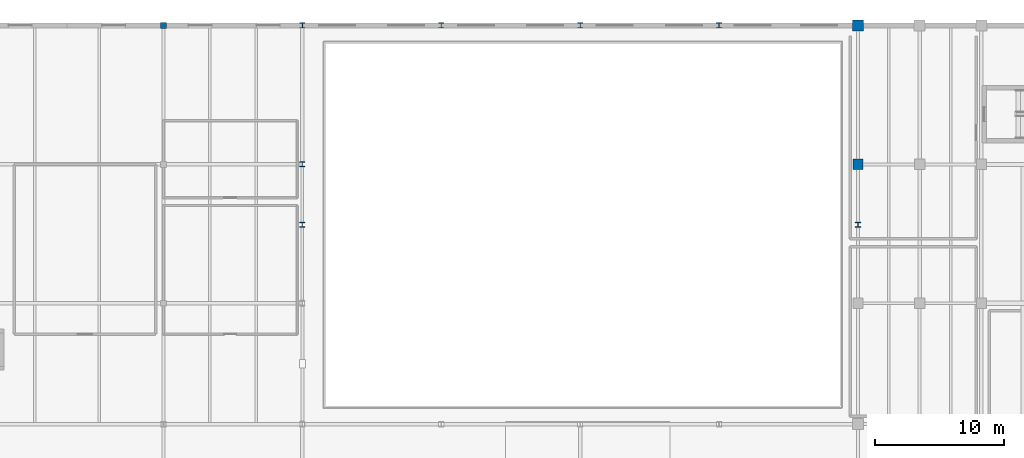
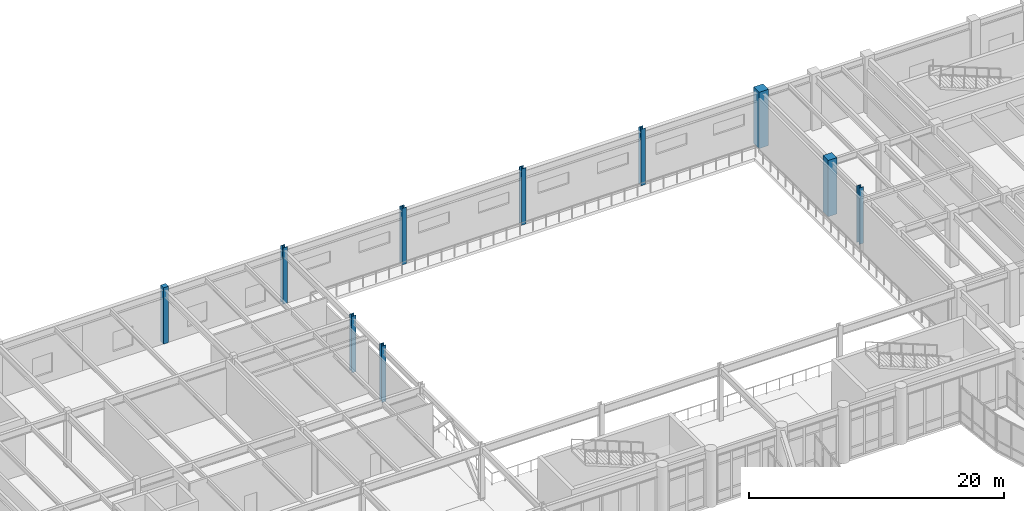
# One storey, part 8 of 72: 10 columns.
"""IFC4 building model written with IfcOpenShell, lengths in metres."""

from ifc_helpers import new_model, si_unit, direction, frame, origin, origin_2d, place, context, subcontext, project, spatial, rectangle, i_section, extrude, material, material_profile, profile_set, type_object, element, save


model = new_model("IFC4")

# Units and contexts
model_context = context("Model", 3, precision=1e-05, world=origin(), true_north=direction((0.0, 1.0)))
body_context = subcontext(model_context, "Body", "Model", "MODEL_VIEW")
ifc_project = project(units=[si_unit("LENGTHUNIT", "METRE"), si_unit("AREAUNIT", "SQUARE_METRE"), si_unit("VOLUMEUNIT", "CUBIC_METRE"), si_unit("PLANEANGLEUNIT", "RADIAN"), si_unit("MASSUNIT", "GRAM", prefix="KILO")], contexts=[model_context])

# Site, building, storey
site_placement = place(None, origin())
site = spatial("IfcSite", under=ifc_project, at=site_placement, CompositionType="ELEMENT")
building_placement = place(site_placement, origin())
building = spatial("IfcBuilding", under=site, at=building_placement, Name="Veldera Park Congress Hotel", CompositionType="ELEMENT")
storey_placement = place(building_placement, frame((0.0, 0.0, 5.39990234375)))
storey = spatial("IfcBuildingStorey", under=building, at=storey_placement, Name="L01", CompositionType="ELEMENT", Elevation=5.39990234375)

# Columns
ifc_material_1 = material(Name="Glulam GL28h (NDS 24F-V4)", Category="wood")
ifc_material_profile_1 = material_profile(ifc_material_1, rectangle(XDim=0.449951171875, YDim=0.449951171875, at=origin_2d()), Name="GL28h 450x450")
ifc_profile_set_1 = profile_set([ifc_material_profile_1], Name="Glulam GL28h (NDS 24F-V4)")
column_type_1 = type_object("IfcColumnType", Name="COL-GL45E", PredefinedType="COLUMN", material=ifc_profile_set_1)
column_1_placement = place(storey_placement, frame((-12.39990234375, 58.0, 0.0), z_axis=(0.0, 0.0, 1.0), x_axis=(1.0, 0.0, 0.0)))
element("IfcColumn", 1, at=column_1_placement, inside=storey, type_object=column_type_1, Name="L01 Column COL-GL45E (-12.4,58.0)", PredefinedType="COLUMN", context=body_context, shape_type="SweptSolid", body=[
    extrude(rectangle(XDim=0.449951171875, YDim=0.449951171875, at=origin_2d()), origin(), (0.0, 0.0, 1.0), 5.400146484375),
])
ifc_material_2 = material(Name="Concrete f'c 50 MPa (7,250 psi)", Category="concrete")
ifc_material_profile_2 = material_profile(ifc_material_2, rectangle(XDim=0.800048828125, YDim=0.800048828125, at=origin_2d()), Name="RC 800x800")
ifc_profile_set_2 = profile_set([ifc_material_profile_2], Name="Concrete f'c 50 MPa (7,250 psi)")
column_type_2 = type_object("IfcColumnType", Name="COL-RC80", PredefinedType="COLUMN", material=ifc_profile_set_2)
column_2_placement = place(storey_placement, frame((41.60009765625, 47.199951171875, 0.0), z_axis=(0.0, 0.0, 1.0), x_axis=(1.0, 0.0, 0.0)))
element("IfcColumn", 2, at=column_2_placement, inside=storey, type_object=column_type_2, Name="L01 Column COL-RC80 (41.6,47.2)", PredefinedType="COLUMN", context=body_context, shape_type="SweptSolid", body=[
    extrude(rectangle(XDim=0.800048828125, YDim=0.800048828125, at=origin_2d()), origin(), (0.0, 0.0, 1.0), 5.400146484375),
])
ifc_material_profile_3 = material_profile(ifc_material_2, rectangle(XDim=0.85009765625, YDim=0.85009765625, at=origin_2d()), Name="RC 850x850")
ifc_profile_set_3 = profile_set([ifc_material_profile_3], Name="Concrete f'c 50 MPa (7,250 psi)")
column_type_3 = type_object("IfcColumnType", Name="COL-RC80E", PredefinedType="COLUMN", material=ifc_profile_set_3)
column_3_placement = place(storey_placement, frame((41.60009765625, 58.0, 0.0), z_axis=(0.0, 0.0, 1.0), x_axis=(1.0, 0.0, 0.0)))
element("IfcColumn", 3, at=column_3_placement, inside=storey, type_object=column_type_3, Name="L01 Column COL-RC80E (41.6,58.0)", PredefinedType="COLUMN", context=body_context, shape_type="SweptSolid", body=[
    extrude(rectangle(XDim=0.85009765625, YDim=0.85009765625, at=origin_2d()), origin(), (0.0, 0.0, 1.0), 5.400146484375),
])
ifc_material_3 = material(Name="Steel ASTM A992 Gr.50", Category="steel")
ifc_material_profile_4 = material_profile(ifc_material_3, i_section(OverallWidth=0.39599609375, OverallDepth=0.381103515625, WebThickness=0.018798828125, FlangeThickness=0.0302734375, at=origin_2d()), Name="W14X159")
ifc_profile_set_4 = profile_set([ifc_material_profile_4], Name="Steel ASTM A992 Gr.50")
column_type_4 = type_object("IfcColumnType", Name="COL-STL159", PredefinedType="COLUMN", material=ifc_profile_set_4)
for number, where, z_axis, x_axis, name in (
    (4, (-1.60009765625, 42.5, 0.0), (0.0, 0.0, 1.0), (1.0, 0.0, 0.0), "L01 Column COL-STL159 (-1.6,42.5)"),
    (5, (41.60009765625, 42.5, 0.0), (0.0, 0.0, 1.0), (1.0, 0.0, 0.0), "L01 Column COL-STL159 (41.6,42.5)"),
    (6, (-1.60009765625, 47.199951171875, 0.0), (0.0, 0.0, 1.0), (1.0, 0.0, 0.0), "L01 Column COL-STL159 (-1.6,47.2)"),
):
    element("IfcColumn", number, at=place(storey_placement, frame(where, z_axis=z_axis, x_axis=x_axis)), inside=storey, type_object=column_type_4, Name=name, PredefinedType="COLUMN", context=body_context, shape_type="SweptSolid", body=[
        extrude(i_section(OverallWidth=0.39599609375, OverallDepth=0.381103515625, WebThickness=0.018798828125, FlangeThickness=0.0302734375, at=origin_2d()), origin(), (0.0, 0.0, 1.0), 5.400146484375),
    ])
ifc_material_profile_5 = material_profile(ifc_material_3, i_section(OverallWidth=0.39892578125, OverallDepth=0.39306640625, WebThickness=0.022705078125, FlangeThickness=0.03662109375, at=origin_2d()), Name="W14X193")
ifc_profile_set_5 = profile_set([ifc_material_profile_5], Name="Steel ASTM A992 Gr.50")
column_type_5 = type_object("IfcColumnType", Name="COL-STL176E", PredefinedType="COLUMN", material=ifc_profile_set_5)
for number, where, z_axis, x_axis, name in (
    (7, (-1.60009765625, 58.0, 0.0), (0.0, 0.0, 1.0), (1.0, 0.0, 0.0), "L01 Column COL-STL176E (-1.6,58.0)"),
    (8, (9.199951171875, 58.0, 0.0), (0.0, 0.0, 1.0), (1.0, 0.0, 0.0), "L01 Column COL-STL176E (9.2,58.0)"),
    (9, (20.0, 58.0, 0.0), (0.0, 0.0, 1.0), (1.0, 0.0, 0.0), "L01 Column COL-STL176E (20.0,58.0)"),
    (10, (30.800048828125, 58.0, 0.0), (0.0, 0.0, 1.0), (1.0, 0.0, 0.0), "L01 Column COL-STL176E (30.8,58.0)"),
):
    element("IfcColumn", number, at=place(storey_placement, frame(where, z_axis=z_axis, x_axis=x_axis)), inside=storey, type_object=column_type_5, Name=name, PredefinedType="COLUMN", context=body_context, shape_type="SweptSolid", body=[
        extrude(i_section(OverallWidth=0.39892578125, OverallDepth=0.39306640625, WebThickness=0.022705078125, FlangeThickness=0.03662109375, at=origin_2d()), origin(), (0.0, 0.0, 1.0), 5.400146484375),
    ])

save(model, "model.ifc")
